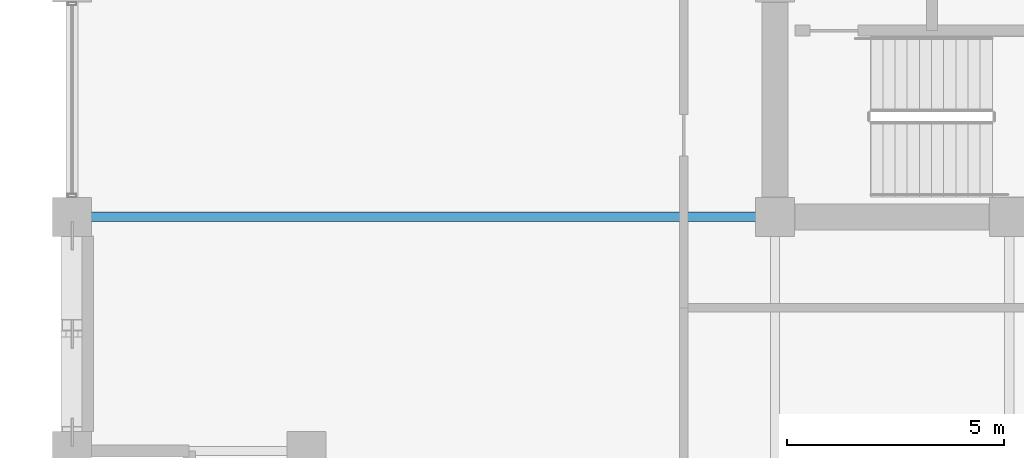
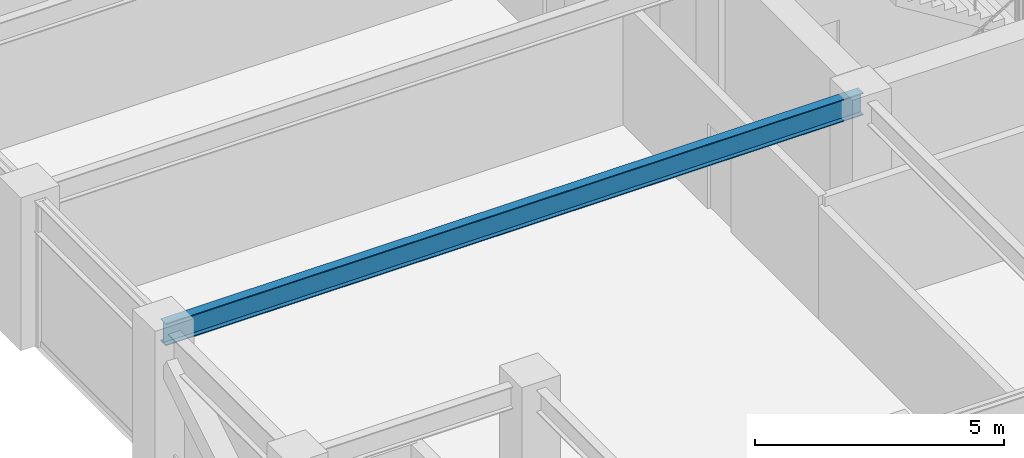
# One storey, part 5 of 31: 1 beam.
"""IFC4 building model written with IfcOpenShell, lengths in metres."""

from ifc_helpers import new_model, si_unit, direction, frame, origin, origin_2d, place, context, subcontext, project, spatial, i_section, extrude, material, material_profile, profile_set, type_object, element, save


model = new_model("IFC4")

# Units and contexts
model_context = context("Model", 3, precision=1e-05, world=origin(), true_north=direction((0.0, 1.0)))
body_context = subcontext(model_context, "Body", "Model", "MODEL_VIEW")
ifc_project = project(units=[si_unit("LENGTHUNIT", "METRE"), si_unit("AREAUNIT", "SQUARE_METRE"), si_unit("VOLUMEUNIT", "CUBIC_METRE"), si_unit("PLANEANGLEUNIT", "RADIAN"), si_unit("MASSUNIT", "GRAM", prefix="KILO")], contexts=[model_context])

# Site, building, storey
site_placement = place(None, origin())
site = spatial("IfcSite", under=ifc_project, at=site_placement, CompositionType="ELEMENT")
building_placement = place(site_placement, origin())
building = spatial("IfcBuilding", under=site, at=building_placement, Name="Surkhivell Harbour Commons", CompositionType="ELEMENT")
storey_placement = place(building_placement, frame((0.0, 0.0, 193.5)))
storey = spatial("IfcBuildingStorey", under=building, at=storey_placement, Name="L50", CompositionType="ELEMENT", Elevation=193.5)

# Beam
ifc_material = material(Name="Steel S355", Category="steel")
ifc_material_profile = material_profile(ifc_material, i_section(OverallWidth=0.2119140625, OverallDepth=0.5439453125, WebThickness=0.0126953125, FlangeThickness=0.021240234375, at=origin_2d()), Name="UB533x210x122")
ifc_profile_set = profile_set([ifc_material_profile], Name="Steel S355")
beam_type = type_object("IfcBeamType", Name="BM-GRD-533A", PredefinedType="BEAM", material=ifc_profile_set)
beam_placement = place(storey_placement, frame((-27.0, -10.800048828125, 3.298095703125), z_axis=(1.0, 0.0, 0.0), x_axis=(0.0, 1.0, 0.0)))
element("IfcBeam", 1, at=beam_placement, inside=storey, type_object=beam_type, Name="L50 Floor Girder (-27.0,-10.8)", PredefinedType="BEAM", context=body_context, shape_type="SweptSolid", body=[
    extrude(i_section(OverallWidth=0.2119140625, OverallDepth=0.5439453125, WebThickness=0.0126953125, FlangeThickness=0.021240234375, at=origin_2d()), origin(), (0.0, 0.0, 1.0), 16.199951171875),
])

save(model, "model.ifc")
